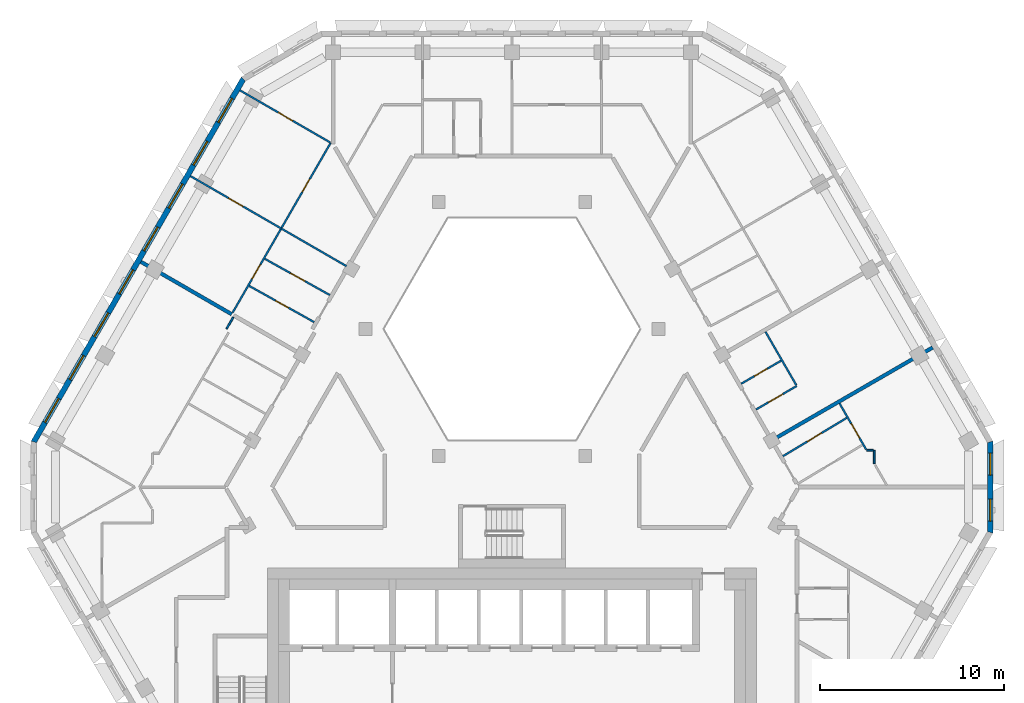
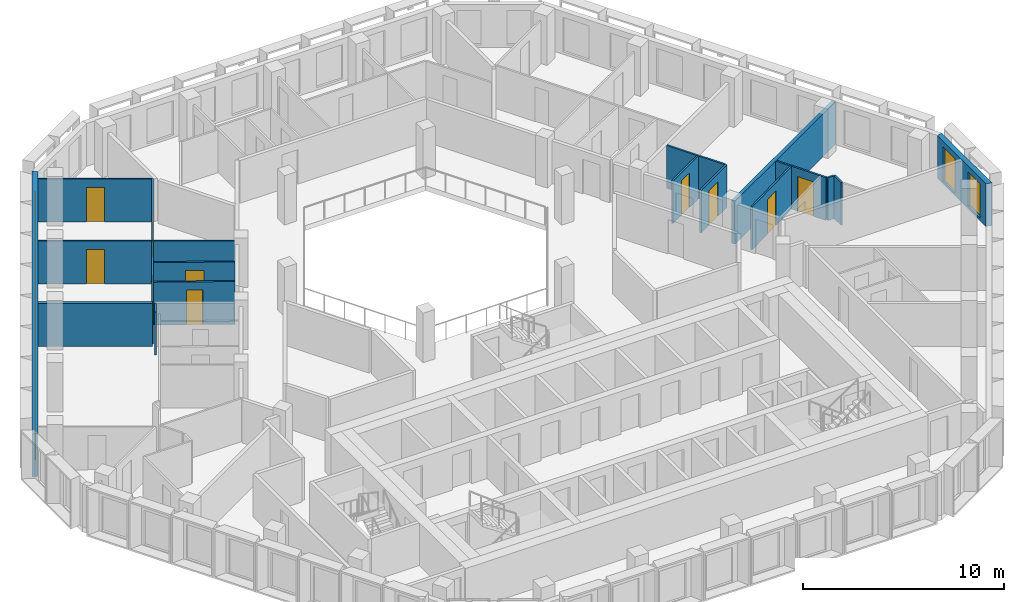
# One storey, part 7 of 18: 18 walls, 10 doors, 10 windows, 20 openings.
"""IFC4 building model written with IfcOpenShell, lengths in metres."""

from ifc_helpers import new_model, si_unit, direction, frame, frame_2d, origin, place, context, subcontext, project, spatial, polyline, rectangle, outline, extrude, material, layer, layer_set, type_object, element, fill, save


model = new_model("IFC4")

# Units and contexts
model_context = context("Model", 3, precision=1e-05, world=origin(), true_north=direction((0.0, 1.0)))
body_context = subcontext(model_context, "Body", "Model", "MODEL_VIEW")
ifc_project = project(units=[si_unit("LENGTHUNIT", "METRE"), si_unit("AREAUNIT", "SQUARE_METRE"), si_unit("VOLUMEUNIT", "CUBIC_METRE"), si_unit("PLANEANGLEUNIT", "RADIAN"), si_unit("MASSUNIT", "GRAM", prefix="KILO")], contexts=[model_context])

# Site, building, storey
site_placement = place(None, origin())
site = spatial("IfcSite", under=ifc_project, at=site_placement, CompositionType="ELEMENT")
building_placement = place(site_placement, origin())
building = spatial("IfcBuilding", under=site, at=building_placement, Name="Beryl Residences", CompositionType="ELEMENT")
storey_placement = place(building_placement, frame((0.0, 0.0, 196.199951171875)))
storey = spatial("IfcBuildingStorey", under=building, at=storey_placement, Name="L60", CompositionType="ELEMENT", Elevation=196.199951171875)

# Wall, openings, windows
ifc_material_1 = material(Name="Composite metal panel with mineral wool insulation")
ifc_layer_1 = layer(ifc_material_1, 0.300048828125)
ifc_layer_set_1 = layer_set([ifc_layer_1], Name="ES1 pale metal composite panel wall 300 mm")
wall_type_1 = type_object("IfcWallType", Name="ES1 pale metal composite panel wall 300 mm", PredefinedType="SOLIDWALL", material=ifc_layer_set_1)
wall_1_placement = place(storey_placement, frame((-14.592041015625, 21.625, 0.0), z_axis=(0.0, 0.0, 1.0), x_axis=(-0.500010537973, -0.866019319597, 0.0)))
wall_1 = element("IfcWall", 1, at=wall_1_placement, inside=storey, type_object=wall_type_1, Name="ES1 external wall L60 NW", PredefinedType="SOLIDWALL", context=body_context, shape_type="SweptSolid", body=[
    extrude(outline(polyline([(0.0, -0.14990234375), (22.86328125, -0.14990234375), (22.782958984375, 0.14990234375), (0.080322265625, 0.14990234375), (0.0, -0.14990234375)])), origin(), (0.0, 0.0, 1.0), 2.60009765625),
])
opening_1_placement = place(wall_1_placement, frame((1.259033203125, 0.0, 0.14990234375)))
opening_1 = element("IfcOpeningElement", 2, at=opening_1_placement, cuts=wall_1, Name="Opening W1", PredefinedType="OPENING", context=body_context, shape_type="SweptSolid", body=[
    extrude(rectangle(XDim=1.5, YDim=2.10009765625, at=frame_2d((0.75, 1.050048828125))), frame((0.0, 0.159912109375, 0.0), z_axis=(0.0, -1.0, 0.0), x_axis=(1.0, 0.0, 0.0)), (0.0, 0.0, 1.0), 0.320068359375),
])
opening_2_placement = place(wall_1_placement, frame((3.951904296875, 0.0, 0.14990234375)))
opening_2 = element("IfcOpeningElement", 3, at=opening_2_placement, cuts=wall_1, Name="Opening W1", PredefinedType="OPENING", context=body_context, shape_type="SweptSolid", body=[
    extrude(rectangle(XDim=1.5, YDim=2.10009765625, at=frame_2d((0.75, 1.050048828125))), frame((0.0, 0.159912109375, 0.0), z_axis=(0.0, -1.0, 0.0), x_axis=(1.0, 0.0, 0.0)), (0.0, 0.0, 1.0), 0.320068359375),
])
opening_3_placement = place(wall_1_placement, frame((6.64404296875, 0.0, 0.14990234375)))
opening_3 = element("IfcOpeningElement", 4, at=opening_3_placement, cuts=wall_1, Name="Opening W1", PredefinedType="OPENING", context=body_context, shape_type="SweptSolid", body=[
    extrude(rectangle(XDim=1.5, YDim=2.10009765625, at=frame_2d((0.75, 1.050048828125))), frame((0.0, 0.159912109375, 0.0), z_axis=(0.0, -1.0, 0.0), x_axis=(1.0, 0.0, 0.0)), (0.0, 0.0, 1.0), 0.320068359375),
])
opening_4_placement = place(wall_1_placement, frame((9.3349609375, 0.0, 0.14990234375)))
opening_4 = element("IfcOpeningElement", 5, at=opening_4_placement, cuts=wall_1, Name="Opening W1", PredefinedType="OPENING", context=body_context, shape_type="SweptSolid", body=[
    extrude(rectangle(XDim=1.5, YDim=2.10009765625, at=frame_2d((0.75, 1.050048828125))), frame((0.0, 0.159912109375, 0.0), z_axis=(0.0, -1.0, 0.0), x_axis=(1.0, 0.0, 0.0)), (0.0, 0.0, 1.0), 0.320068359375),
])
opening_5_placement = place(wall_1_placement, frame((12.028076171875, 0.0, 0.14990234375)))
opening_5 = element("IfcOpeningElement", 6, at=opening_5_placement, cuts=wall_1, Name="Opening W1", PredefinedType="OPENING", context=body_context, shape_type="SweptSolid", body=[
    extrude(rectangle(XDim=1.5, YDim=2.10009765625, at=frame_2d((0.75, 1.050048828125))), frame((0.0, 0.159912109375, 0.0), z_axis=(0.0, -1.0, 0.0), x_axis=(1.0, 0.0, 0.0)), (0.0, 0.0, 1.0), 0.320068359375),
])
opening_6_placement = place(wall_1_placement, frame((14.719970703125, 0.0, 0.14990234375)))
opening_6 = element("IfcOpeningElement", 7, at=opening_6_placement, cuts=wall_1, Name="Opening W1", PredefinedType="OPENING", context=body_context, shape_type="SweptSolid", body=[
    extrude(rectangle(XDim=1.5, YDim=2.10009765625, at=frame_2d((0.75, 1.050048828125))), frame((0.0, 0.159912109375, 0.0), z_axis=(0.0, -1.0, 0.0), x_axis=(1.0, 0.0, 0.0)), (0.0, 0.0, 1.0), 0.320068359375),
])
opening_7_placement = place(wall_1_placement, frame((17.410888671875, 0.0, 0.14990234375)))
opening_7 = element("IfcOpeningElement", 8, at=opening_7_placement, cuts=wall_1, Name="Opening W1", PredefinedType="OPENING", context=body_context, shape_type="SweptSolid", body=[
    extrude(rectangle(XDim=1.5, YDim=2.10009765625, at=frame_2d((0.75, 1.050048828125))), frame((0.0, 0.159912109375, 0.0), z_axis=(0.0, -1.0, 0.0), x_axis=(1.0, 0.0, 0.0)), (0.0, 0.0, 1.0), 0.320068359375),
])
opening_8_placement = place(wall_1_placement, frame((20.10400390625, 0.0, 0.14990234375)))
opening_8 = element("IfcOpeningElement", 9, at=opening_8_placement, cuts=wall_1, Name="Opening W1", PredefinedType="OPENING", context=body_context, shape_type="SweptSolid", body=[
    extrude(rectangle(XDim=1.5, YDim=2.10009765625, at=frame_2d((0.75, 1.050048828125))), frame((0.0, 0.159912109375, 0.0), z_axis=(0.0, -1.0, 0.0), x_axis=(1.0, 0.0, 0.0)), (0.0, 0.0, 1.0), 0.320068359375),
])
ifc_material_2 = material(Name="Aluminium and clear glass", Category="aluminium")
window_type_1 = type_object("IfcWindowType", Name="W1 cell window 1500 x 2100 mm", PartitioningType="SINGLE_PANEL", PredefinedType="WINDOW", material=ifc_material_2)
window_1_placement = place(opening_1_placement, origin())
window_1 = element("IfcWindow", 10, at=window_1_placement, inside=storey, type_object=window_type_1, Name="W1 window L60 NW 1", OverallHeight=2.10009765625, OverallWidth=1.5, PartitioningType="SINGLE_PANEL", PredefinedType="WINDOW", context=body_context, shape_type="SweptSolid", body=[
    extrude(rectangle(XDim=1.5, YDim=2.10009765625, at=frame_2d((0.75, 1.050048828125))), frame((0.0, 0.030029296875, 0.0), z_axis=(0.0, -1.0, 0.0), x_axis=(1.0, 0.0, 0.0)), (0.0, 0.0, 1.0), 0.06005859375),
])
fill(opening_1, window_1)
window_2_placement = place(opening_2_placement, origin())
window_2 = element("IfcWindow", 11, at=window_2_placement, inside=storey, type_object=window_type_1, Name="W1 window L60 NW 2", OverallHeight=2.10009765625, OverallWidth=1.5, PartitioningType="SINGLE_PANEL", PredefinedType="WINDOW", context=body_context, shape_type="SweptSolid", body=[
    extrude(rectangle(XDim=1.5, YDim=2.10009765625, at=frame_2d((0.75, 1.050048828125))), frame((0.0, 0.030029296875, 0.0), z_axis=(0.0, -1.0, 0.0), x_axis=(1.0, 0.0, 0.0)), (0.0, 0.0, 1.0), 0.06005859375),
])
fill(opening_2, window_2)
window_3_placement = place(opening_3_placement, origin())
window_3 = element("IfcWindow", 12, at=window_3_placement, inside=storey, type_object=window_type_1, Name="W1 window L60 NW 3", OverallHeight=2.10009765625, OverallWidth=1.5, PartitioningType="SINGLE_PANEL", PredefinedType="WINDOW", context=body_context, shape_type="SweptSolid", body=[
    extrude(rectangle(XDim=1.5, YDim=2.10009765625, at=frame_2d((0.75, 1.050048828125))), frame((0.0, 0.030029296875, 0.0), z_axis=(0.0, -1.0, 0.0), x_axis=(1.0, 0.0, 0.0)), (0.0, 0.0, 1.0), 0.06005859375),
])
fill(opening_3, window_3)
window_4_placement = place(opening_4_placement, origin())
window_4 = element("IfcWindow", 13, at=window_4_placement, inside=storey, type_object=window_type_1, Name="W1 window L60 NW 4", OverallHeight=2.10009765625, OverallWidth=1.5, PartitioningType="SINGLE_PANEL", PredefinedType="WINDOW", context=body_context, shape_type="SweptSolid", body=[
    extrude(rectangle(XDim=1.5, YDim=2.10009765625, at=frame_2d((0.75, 1.050048828125))), frame((0.0, 0.030029296875, 0.0), z_axis=(0.0, -1.0, 0.0), x_axis=(1.0, 0.0, 0.0)), (0.0, 0.0, 1.0), 0.06005859375),
])
fill(opening_4, window_4)
window_5_placement = place(opening_5_placement, origin())
window_5 = element("IfcWindow", 14, at=window_5_placement, inside=storey, type_object=window_type_1, Name="W1 window L60 NW 5", OverallHeight=2.10009765625, OverallWidth=1.5, PartitioningType="SINGLE_PANEL", PredefinedType="WINDOW", context=body_context, shape_type="SweptSolid", body=[
    extrude(rectangle(XDim=1.5, YDim=2.10009765625, at=frame_2d((0.75, 1.050048828125))), frame((0.0, 0.030029296875, 0.0), z_axis=(0.0, -1.0, 0.0), x_axis=(1.0, 0.0, 0.0)), (0.0, 0.0, 1.0), 0.06005859375),
])
fill(opening_5, window_5)
window_6_placement = place(opening_6_placement, origin())
window_6 = element("IfcWindow", 15, at=window_6_placement, inside=storey, type_object=window_type_1, Name="W1 window L60 NW 6", OverallHeight=2.10009765625, OverallWidth=1.5, PartitioningType="SINGLE_PANEL", PredefinedType="WINDOW", context=body_context, shape_type="SweptSolid", body=[
    extrude(rectangle(XDim=1.5, YDim=2.10009765625, at=frame_2d((0.75, 1.050048828125))), frame((0.0, 0.030029296875, 0.0), z_axis=(0.0, -1.0, 0.0), x_axis=(1.0, 0.0, 0.0)), (0.0, 0.0, 1.0), 0.06005859375),
])
fill(opening_6, window_6)
window_7_placement = place(opening_7_placement, origin())
window_7 = element("IfcWindow", 16, at=window_7_placement, inside=storey, type_object=window_type_1, Name="W1 window L60 NW 7", OverallHeight=2.10009765625, OverallWidth=1.5, PartitioningType="SINGLE_PANEL", PredefinedType="WINDOW", context=body_context, shape_type="SweptSolid", body=[
    extrude(rectangle(XDim=1.5, YDim=2.10009765625, at=frame_2d((0.75, 1.050048828125))), frame((0.0, 0.030029296875, 0.0), z_axis=(0.0, -1.0, 0.0), x_axis=(1.0, 0.0, 0.0)), (0.0, 0.0, 1.0), 0.06005859375),
])
fill(opening_7, window_7)
window_8_placement = place(opening_8_placement, origin())
window_8 = element("IfcWindow", 17, at=window_8_placement, inside=storey, type_object=window_type_1, Name="W1 window L60 NW 8", OverallHeight=2.10009765625, OverallWidth=1.5, PartitioningType="SINGLE_PANEL", PredefinedType="WINDOW", context=body_context, shape_type="SweptSolid", body=[
    extrude(rectangle(XDim=1.5, YDim=2.10009765625, at=frame_2d((0.75, 1.050048828125))), frame((0.0, 0.030029296875, 0.0), z_axis=(0.0, -1.0, 0.0), x_axis=(1.0, 0.0, 0.0)), (0.0, 0.0, 1.0), 0.06005859375),
])
fill(opening_8, window_8)

wall_2_placement = place(storey_placement, frame((26.00390625, -3.10009765625, 0.0), z_axis=(0.0, 0.0, 1.0), x_axis=(0.0, 1.0, 0.0)))
wall_2 = element("IfcWall", 18, at=wall_2_placement, inside=storey, type_object=wall_type_1, Name="ES1 external wall L60 SE-NE", PredefinedType="SOLIDWALL", context=body_context, shape_type="SweptSolid", body=[
    extrude(outline(polyline([(0.0, -0.14990234375), (5.0, -0.14990234375), (4.919677734375, 0.14990234375), (0.080322265625, 0.14990234375), (0.0, -0.14990234375)])), origin(), (0.0, 0.0, 1.0), 2.60009765625),
])
opening_9_placement = place(wall_2_placement, frame((0.64990234375, 0.0, 0.14990234375)))
opening_9 = element("IfcOpeningElement", 19, at=opening_9_placement, cuts=wall_2, Name="Opening W2", PredefinedType="OPENING", context=body_context, shape_type="SweptSolid", body=[
    extrude(rectangle(XDim=1.199951171875, YDim=2.10009765625, at=frame_2d((0.60009765625, 1.050048828125))), frame((0.0, 0.159912109375, 0.0), z_axis=(0.0, -1.0, 0.0), x_axis=(1.0, 0.0, 0.0)), (0.0, 0.0, 1.0), 0.320068359375),
])
opening_10_placement = place(wall_2_placement, frame((3.14990234375, 0.0, 0.14990234375)))
opening_10 = element("IfcOpeningElement", 20, at=opening_10_placement, cuts=wall_2, Name="Opening W2", PredefinedType="OPENING", context=body_context, shape_type="SweptSolid", body=[
    extrude(rectangle(XDim=1.199951171875, YDim=2.10009765625, at=frame_2d((0.60009765625, 1.050048828125))), frame((0.0, 0.159912109375, 0.0), z_axis=(0.0, -1.0, 0.0), x_axis=(1.0, 0.0, 0.0)), (0.0, 0.0, 1.0), 0.320068359375),
])
ifc_material_3 = material(Name="Aluminium and clear glass", Category="aluminium")
window_type_2 = type_object("IfcWindowType", Name="W2 chamfer window 1200 x 2100 mm", PartitioningType="SINGLE_PANEL", PredefinedType="WINDOW", material=ifc_material_3)
window_9_placement = place(opening_9_placement, origin())
window_9 = element("IfcWindow", 21, at=window_9_placement, inside=storey, type_object=window_type_2, Name="W2 window L60 SE-NE 1", OverallHeight=2.10009765625, OverallWidth=1.199951171875, PartitioningType="SINGLE_PANEL", PredefinedType="WINDOW", context=body_context, shape_type="SweptSolid", body=[
    extrude(rectangle(XDim=1.199951171875, YDim=2.10009765625, at=frame_2d((0.60009765625, 1.050048828125))), frame((0.0, 0.030029296875, 0.0), z_axis=(0.0, -1.0, 0.0), x_axis=(1.0, 0.0, 0.0)), (0.0, 0.0, 1.0), 0.06005859375),
])
fill(opening_9, window_9)
window_10_placement = place(opening_10_placement, origin())
window_10 = element("IfcWindow", 22, at=window_10_placement, inside=storey, type_object=window_type_2, Name="W2 window L60 SE-NE 2", OverallHeight=2.10009765625, OverallWidth=1.199951171875, PartitioningType="SINGLE_PANEL", PredefinedType="WINDOW", context=body_context, shape_type="SweptSolid", body=[
    extrude(rectangle(XDim=1.199951171875, YDim=2.10009765625, at=frame_2d((0.60009765625, 1.050048828125))), frame((0.0, 0.030029296875, 0.0), z_axis=(0.0, -1.0, 0.0), x_axis=(1.0, 0.0, 0.0)), (0.0, 0.0, 1.0), 0.06005859375),
])
fill(opening_10, window_10)

# Wall
ifc_material_4 = material(Name="Gypsum board partition on steel studs", Category="steel")
ifc_layer_2 = layer(ifc_material_4, 0.10009765625)
ifc_layer_set_2 = layer_set([ifc_layer_2], Name="PT1 partition 100 mm gypsum board on steel studs")
wall_type_2 = type_object("IfcWallType", Name="PT1 partition 100 mm gypsum board on steel studs", PredefinedType="PARTITIONING", material=ifc_layer_set_2)
wall_3_placement = place(storey_placement, frame((13.784912109375, 7.843994140625, 0.0), z_axis=(0.0, 0.0, 1.0), x_axis=(0.500176784828, -0.865923312955, 0.0)))
element("IfcWall", 23, at=wall_3_placement, inside=storey, type_object=wall_type_2, Name="Wall PT1 L60 002", PredefinedType="PARTITIONING", context=body_context, shape_type="SweptSolid", body=[
    extrude(rectangle(XDim=3.348876953125, YDim=0.10009765625, at=frame_2d((1.67431640625, 0.0))), origin(), (0.0, 0.0, 1.0), 2.60009765625),
])

# Wall, opening, door
wall_4_placement = place(storey_placement, frame((17.81103515625, 3.950927734375, 0.0), z_axis=(0.0, 0.0, 1.0), x_axis=(0.499976149225, -0.866039173598, 0.0)))
wall_4 = element("IfcWall", 24, at=wall_4_placement, inside=storey, type_object=wall_type_2, Name="Wall PT1 L60 004", PredefinedType="PARTITIONING", context=body_context, shape_type="SweptSolid", body=[
    extrude(rectangle(XDim=2.887939453125, YDim=0.10009765625, at=frame_2d((1.44384765625, 0.0))), origin(), (0.0, 0.0, 1.0), 2.60009765625),
])
opening_11_placement = place(wall_4_placement, frame((1.27587890625, 0.0, 0.0)))
opening_11 = element("IfcOpeningElement", 25, at=opening_11_placement, cuts=wall_4, Name="Opening D1542", PredefinedType="OPENING", context=body_context, shape_type="SweptSolid", body=[
    extrude(rectangle(XDim=0.89990234375, YDim=2.10009765625, at=frame_2d((0.449951171875, 1.050048828125))), frame((0.0, 0.06005859375, 0.0), z_axis=(0.0, -1.0, 0.0), x_axis=(1.0, 0.0, 0.0)), (0.0, 0.0, 1.0), 0.1201171875),
])
ifc_material_5 = material(Name="Timber door leaf", Category="wood")
door_type_1 = type_object("IfcDoorType", Name="D2 room door 900 x 2100 mm", OperationType="SINGLE_SWING_LEFT", PredefinedType="DOOR", material=ifc_material_5)
door_1_placement = place(opening_11_placement, origin())
door_1 = element("IfcDoor", 26, at=door_1_placement, inside=storey, type_object=door_type_1, Name="Door D1542 L60 001", OperationType="SINGLE_SWING_RIGHT", OverallHeight=2.10009765625, OverallWidth=0.89990234375, PredefinedType="DOOR", context=body_context, shape_type="SweptSolid", body=[
    extrude(rectangle(XDim=0.89990234375, YDim=2.10009765625, at=frame_2d((0.449951171875, 1.050048828125))), frame((0.0, 0.02490234375, 0.0), z_axis=(0.0, -1.0, 0.0), x_axis=(1.0, 0.0, 0.0)), (0.0, 0.0, 1.0), 0.050048828125),
])
fill(opening_11, door_1)

wall_5_placement = place(storey_placement, frame((-13.444091796875, 11.81396484375, 0.0), z_axis=(0.0, 0.0, 1.0), x_axis=(0.873653620945, -0.486548405207, 0.0)))
wall_5 = element("IfcWall", 27, at=wall_5_placement, inside=storey, type_object=wall_type_2, Name="Wall PT1 L60 009", PredefinedType="PARTITIONING", context=body_context, shape_type="SweptSolid", body=[
    extrude(rectangle(XDim=4.05078125, YDim=0.10009765625, at=frame_2d((2.025390625, 0.0))), origin(), (0.0, 0.0, 1.0), 2.60009765625),
])
opening_12_placement = place(wall_5_placement, frame((1.60009765625, 0.0, 0.0)))
opening_12 = element("IfcOpeningElement", 28, at=opening_12_placement, cuts=wall_5, Name="Opening D1519", PredefinedType="OPENING", context=body_context, shape_type="SweptSolid", body=[
    extrude(rectangle(XDim=0.89990234375, YDim=2.10009765625, at=frame_2d((0.449951171875, 1.050048828125))), frame((0.0, 0.06005859375, 0.0), z_axis=(0.0, -1.0, 0.0), x_axis=(1.0, 0.0, 0.0)), (0.0, 0.0, 1.0), 0.1201171875),
])
door_2_placement = place(opening_12_placement, origin())
door_2 = element("IfcDoor", 29, at=door_2_placement, inside=storey, type_object=door_type_1, Name="Door D1519 L60 001", OperationType="SINGLE_SWING_LEFT", OverallHeight=2.10009765625, OverallWidth=0.89990234375, PredefinedType="DOOR", context=body_context, shape_type="SweptSolid", body=[
    extrude(rectangle(XDim=0.89990234375, YDim=2.10009765625, at=frame_2d((0.449951171875, 1.050048828125))), frame((0.0, 0.02490234375, 0.0), z_axis=(0.0, -1.0, 0.0), x_axis=(1.0, 0.0, 0.0)), (0.0, 0.0, 1.0), 0.050048828125),
])
fill(opening_12, door_2)

wall_6_placement = place(storey_placement, frame((-14.2939453125, 10.342041015625, 0.0), z_axis=(0.0, 0.0, 1.0), x_axis=(0.873582256032, -0.486676527013, 0.0)))
wall_6 = element("IfcWall", 30, at=wall_6_placement, inside=storey, type_object=wall_type_2, Name="Wall PT1 L60 010", PredefinedType="PARTITIONING", context=body_context, shape_type="SweptSolid", body=[
    extrude(rectangle(XDim=4.0498046875, YDim=0.10009765625, at=frame_2d((2.02490234375, 0.0))), origin(), (0.0, 0.0, 1.0), 2.60009765625),
])
opening_13_placement = place(wall_6_placement, frame((1.64990234375, 0.0, 0.0)))
opening_13 = element("IfcOpeningElement", 31, at=opening_13_placement, cuts=wall_6, Name="Opening D1518", PredefinedType="OPENING", context=body_context, shape_type="SweptSolid", body=[
    extrude(rectangle(XDim=0.800048828125, YDim=2.10009765625, at=frame_2d((0.39990234375, 1.050048828125))), frame((0.0, 0.06005859375, 0.0), z_axis=(0.0, -1.0, 0.0), x_axis=(1.0, 0.0, 0.0)), (0.0, 0.0, 1.0), 0.1201171875),
])
ifc_material_6 = material(Name="Timber door leaf", Category="wood")
door_type_2 = type_object("IfcDoorType", Name="D3 bathroom door 800 x 2100 mm", OperationType="SINGLE_SWING_LEFT", PredefinedType="DOOR", material=ifc_material_6)
door_3_placement = place(opening_13_placement, origin())
door_3 = element("IfcDoor", 32, at=door_3_placement, inside=storey, type_object=door_type_2, Name="Door D1518 L60 001", OperationType="SINGLE_SWING_RIGHT", OverallHeight=2.10009765625, OverallWidth=0.800048828125, PredefinedType="DOOR", context=body_context, shape_type="SweptSolid", body=[
    extrude(rectangle(XDim=0.800048828125, YDim=2.10009765625, at=frame_2d((0.39990234375, 1.050048828125))), frame((0.0, 0.02490234375, 0.0), z_axis=(0.0, -1.0, 0.0), x_axis=(1.0, 0.0, 0.0)), (0.0, 0.0, 1.0), 0.050048828125),
])
fill(opening_13, door_3)

wall_7_placement = place(storey_placement, frame((-17.486083984375, 16.31298828125, 0.0), z_axis=(0.0, 0.0, 1.0), x_axis=(0.866004402611, -0.500036373335, 0.0)))
wall_7 = element("IfcWall", 33, at=wall_7_placement, inside=storey, type_object=wall_type_2, Name="Wall PT1 L60 015", PredefinedType="PARTITIONING", context=body_context, shape_type="SweptSolid", body=[
    extrude(rectangle(XDim=5.69970703125, YDim=0.10009765625, at=frame_2d((2.849853515625, 0.0))), origin(), (0.0, 0.0, 1.0), 2.60009765625),
])
opening_14_placement = place(wall_7_placement, frame((2.39990234375, 0.0, 0.0)))
opening_14 = element("IfcOpeningElement", 34, at=opening_14_placement, cuts=wall_7, Name="Opening D1521", PredefinedType="OPENING", context=body_context, shape_type="SweptSolid", body=[
    extrude(rectangle(XDim=0.89990234375, YDim=2.10009765625, at=frame_2d((0.449951171875, 1.050048828125))), frame((0.0, 0.06005859375, 0.0), z_axis=(0.0, -1.0, 0.0), x_axis=(1.0, 0.0, 0.0)), (0.0, 0.0, 1.0), 0.1201171875),
])
door_4_placement = place(opening_14_placement, origin())
door_4 = element("IfcDoor", 35, at=door_4_placement, inside=storey, type_object=door_type_1, Name="Door D1521 L60 001", OperationType="SINGLE_SWING_LEFT", OverallHeight=2.10009765625, OverallWidth=0.89990234375, PredefinedType="DOOR", context=body_context, shape_type="SweptSolid", body=[
    extrude(rectangle(XDim=0.89990234375, YDim=2.10009765625, at=frame_2d((0.449951171875, 1.050048828125))), frame((0.0, 0.02490234375, 0.0), z_axis=(0.0, -1.0, 0.0), x_axis=(1.0, 0.0, 0.0)), (0.0, 0.0, 1.0), 0.050048828125),
])
fill(opening_14, door_4)

wall_8_placement = place(storey_placement, frame((-14.7939453125, 20.97509765625, 0.0), z_axis=(0.0, 0.0, 1.0), x_axis=(0.865989811779, -0.500061642096, 0.0)))
wall_8 = element("IfcWall", 36, at=wall_8_placement, inside=storey, type_object=wall_type_2, Name="Wall PT1 L60 016", PredefinedType="PARTITIONING", context=body_context, shape_type="SweptSolid", body=[
    extrude(rectangle(XDim=5.669677734375, YDim=0.10009765625, at=frame_2d((2.8349609375, 0.0))), origin(), (0.0, 0.0, 1.0), 2.60009765625),
])
opening_15_placement = place(wall_8_placement, frame((2.409912109375, 0.0, 0.0)))
opening_15 = element("IfcOpeningElement", 37, at=opening_15_placement, cuts=wall_8, Name="Opening D1522", PredefinedType="OPENING", context=body_context, shape_type="SweptSolid", body=[
    extrude(rectangle(XDim=0.89990234375, YDim=2.10009765625, at=frame_2d((0.449951171875, 1.050048828125))), frame((0.0, 0.06005859375, 0.0), z_axis=(0.0, -1.0, 0.0), x_axis=(1.0, 0.0, 0.0)), (0.0, 0.0, 1.0), 0.1201171875),
])
door_5_placement = place(opening_15_placement, origin())
door_5 = element("IfcDoor", 38, at=door_5_placement, inside=storey, type_object=door_type_1, Name="Door D1522 L60 001", OperationType="SINGLE_SWING_RIGHT", OverallHeight=2.10009765625, OverallWidth=0.89990234375, PredefinedType="DOOR", context=body_context, shape_type="SweptSolid", body=[
    extrude(rectangle(XDim=0.89990234375, YDim=2.10009765625, at=frame_2d((0.449951171875, 1.050048828125))), frame((0.0, 0.02490234375, 0.0), z_axis=(0.0, -1.0, 0.0), x_axis=(1.0, 0.0, 0.0)), (0.0, 0.0, 1.0), 0.050048828125),
])
fill(opening_15, door_5)

# Walls
wall_9_placement = place(storey_placement, frame((19.283935546875, 1.39990234375, 0.0), z_axis=(0.0, 0.0, 1.0), x_axis=(1.0, 0.0, 0.0)))
element("IfcWall", 39, at=wall_9_placement, inside=storey, type_object=wall_type_2, Name="Wall PT1 L60 022", PredefinedType="PARTITIONING", context=body_context, shape_type="SweptSolid", body=[
    extrude(rectangle(XDim=0.365966796875, YDim=0.10009765625, at=frame_2d((0.18310546875, 0.0))), origin(), (0.0, 0.0, 1.0), 2.60009765625),
])
wall_10_placement = place(storey_placement, frame((-15.528076171875, 8.0, 0.0), z_axis=(0.0, 0.0, 1.0), x_axis=(0.500421336976, 0.865782008071, 0.0)))
element("IfcWall", 40, at=wall_10_placement, inside=storey, type_object=wall_type_2, Name="Wall PT1 L60 029", PredefinedType="PARTITIONING", context=body_context, shape_type="SweptSolid", body=[
    extrude(rectangle(XDim=0.735595703125, YDim=0.10009765625, at=frame_2d((0.36767578125, 0.0))), origin(), (0.0, 0.0, 1.0), 2.60009765625),
])

# Wall, openings, doors
wall_11_placement = place(storey_placement, frame((-15.19189453125, 8.886962890625, 0.0), z_axis=(0.0, 0.0, 1.0), x_axis=(0.500028204665, 0.866009119201, 0.0)))
wall_11 = element("IfcWall", 41, at=wall_11_placement, inside=storey, type_object=wall_type_2, Name="Wall PT1 L60 030", PredefinedType="PARTITIONING", context=body_context, shape_type="SweptSolid", body=[
    extrude(rectangle(XDim=10.66748046875, YDim=0.10009765625, at=frame_2d((5.333740234375, 0.0))), origin(), (0.0, 0.0, 1.0), 2.60009765625),
])
opening_16_placement = place(wall_11_placement, frame((2.10791015625, 0.0, 0.0)))
opening_16 = element("IfcOpeningElement", 42, at=opening_16_placement, cuts=wall_11, Name="Opening D1520", PredefinedType="OPENING", context=body_context, shape_type="SweptSolid", body=[
    extrude(rectangle(XDim=0.89990234375, YDim=2.10009765625, at=frame_2d((0.449951171875, 1.050048828125))), frame((0.0, 0.06005859375, 0.0), z_axis=(0.0, -1.0, 0.0), x_axis=(1.0, 0.0, 0.0)), (0.0, 0.0, 1.0), 0.1201171875),
])
opening_17_placement = place(wall_11_placement, frame((7.575927734375, 0.0, 0.0)))
opening_17 = element("IfcOpeningElement", 43, at=opening_17_placement, cuts=wall_11, Name="Opening D1523", PredefinedType="OPENING", context=body_context, shape_type="SweptSolid", body=[
    extrude(rectangle(XDim=0.800048828125, YDim=2.10009765625, at=frame_2d((0.39990234375, 1.050048828125))), frame((0.0, 0.06005859375, 0.0), z_axis=(0.0, -1.0, 0.0), x_axis=(1.0, 0.0, 0.0)), (0.0, 0.0, 1.0), 0.1201171875),
])
door_6_placement = place(opening_16_placement, origin())
door_6 = element("IfcDoor", 44, at=door_6_placement, inside=storey, type_object=door_type_1, Name="Door D1520 L60 001", OperationType="SINGLE_SWING_RIGHT", OverallHeight=2.10009765625, OverallWidth=0.89990234375, PredefinedType="DOOR", context=body_context, shape_type="SweptSolid", body=[
    extrude(rectangle(XDim=0.89990234375, YDim=2.10009765625, at=frame_2d((0.449951171875, 1.050048828125))), frame((0.0, 0.02490234375, 0.0), z_axis=(0.0, -1.0, 0.0), x_axis=(1.0, 0.0, 0.0)), (0.0, 0.0, 1.0), 0.050048828125),
])
fill(opening_16, door_6)
door_7_placement = place(opening_17_placement, origin())
door_7 = element("IfcDoor", 45, at=door_7_placement, inside=storey, type_object=door_type_2, Name="Door D1523 L60 001", OperationType="SINGLE_SWING_LEFT", OverallHeight=2.10009765625, OverallWidth=0.800048828125, PredefinedType="DOOR", context=body_context, shape_type="SweptSolid", body=[
    extrude(rectangle(XDim=0.800048828125, YDim=2.10009765625, at=frame_2d((0.39990234375, 1.050048828125))), frame((0.0, 0.02490234375, 0.0), z_axis=(0.0, -1.0, 0.0), x_axis=(1.0, 0.0, 0.0)), (0.0, 0.0, 1.0), 0.050048828125),
])
fill(opening_17, door_7)

# Wall
wall_12_placement = place(storey_placement, frame((19.699951171875, 0.678955078125, 0.0), z_axis=(0.0, 0.0, 1.0), x_axis=(0.0, 1.0, 0.0)))
element("IfcWall", 46, at=wall_12_placement, inside=storey, type_object=wall_type_2, Name="Wall PT1 L60 033", PredefinedType="PARTITIONING", context=body_context, shape_type="SweptSolid", body=[
    extrude(rectangle(XDim=0.720947265625, YDim=0.10009765625, at=frame_2d((0.3603515625, 0.0))), origin(), (0.0, 0.0, 1.0), 2.60009765625),
])

# Wall, opening, door
wall_13_placement = place(storey_placement, frame((13.26806640625, 3.618896484375, 0.0), z_axis=(0.0, 0.0, 1.0), x_axis=(0.865902724456, 0.500212426655, 0.0)))
wall_13 = element("IfcWall", 47, at=wall_13_placement, inside=storey, type_object=wall_type_2, Name="Wall PT1 L60 042", PredefinedType="PARTITIONING", context=body_context, shape_type="SweptSolid", body=[
    extrude(rectangle(XDim=2.55908203125, YDim=0.10009765625, at=frame_2d((1.279541015625, 0.0))), origin(), (0.0, 0.0, 1.0), 2.60009765625),
])
opening_18_placement = place(wall_13_placement, frame((0.780029296875, 0.0, 0.0)))
opening_18 = element("IfcOpeningElement", 48, at=opening_18_placement, cuts=wall_13, Name="Opening D1544", PredefinedType="OPENING", context=body_context, shape_type="SweptSolid", body=[
    extrude(rectangle(XDim=0.89990234375, YDim=2.10009765625, at=frame_2d((0.449951171875, 1.050048828125))), frame((0.0, 0.06005859375, 0.0), z_axis=(0.0, -1.0, 0.0), x_axis=(1.0, 0.0, 0.0)), (0.0, 0.0, 1.0), 0.1201171875),
])
door_8_placement = place(opening_18_placement, origin())
door_8 = element("IfcDoor", 49, at=door_8_placement, inside=storey, type_object=door_type_1, Name="Door D1544 L60 001", OperationType="SINGLE_SWING_RIGHT", OverallHeight=2.10009765625, OverallWidth=0.89990234375, PredefinedType="DOOR", context=body_context, shape_type="SweptSolid", body=[
    extrude(rectangle(XDim=0.89990234375, YDim=2.10009765625, at=frame_2d((0.449951171875, 1.050048828125))), frame((0.0, 0.02490234375, 0.0), z_axis=(0.0, -1.0, 0.0), x_axis=(1.0, 0.0, 0.0)), (0.0, 0.0, 1.0), 0.050048828125),
])
fill(opening_18, door_8)

wall_14_placement = place(storey_placement, frame((12.4599609375, 5.01806640625, 0.0), z_axis=(0.0, 0.0, 1.0), x_axis=(0.866080321209, 0.499904868165, 0.0)))
wall_14 = element("IfcWall", 50, at=wall_14_placement, inside=storey, type_object=wall_type_2, Name="Wall PT1 L60 043", PredefinedType="PARTITIONING", context=body_context, shape_type="SweptSolid", body=[
    extrude(rectangle(XDim=2.51025390625, YDim=0.10009765625, at=frame_2d((1.255126953125, 0.0))), origin(), (0.0, 0.0, 1.0), 2.60009765625),
])
opening_19_placement = place(wall_14_placement, frame((0.830078125, 0.0, 0.0)))
opening_19 = element("IfcOpeningElement", 51, at=opening_19_placement, cuts=wall_14, Name="Opening D1545", PredefinedType="OPENING", context=body_context, shape_type="SweptSolid", body=[
    extrude(rectangle(XDim=0.800048828125, YDim=2.10009765625, at=frame_2d((0.39990234375, 1.050048828125))), frame((0.0, 0.06005859375, 0.0), z_axis=(0.0, -1.0, 0.0), x_axis=(1.0, 0.0, 0.0)), (0.0, 0.0, 1.0), 0.1201171875),
])
door_9_placement = place(opening_19_placement, origin())
door_9 = element("IfcDoor", 52, at=door_9_placement, inside=storey, type_object=door_type_2, Name="Door D1545 L60 001", OperationType="SINGLE_SWING_LEFT", OverallHeight=2.10009765625, OverallWidth=0.800048828125, PredefinedType="DOOR", context=body_context, shape_type="SweptSolid", body=[
    extrude(rectangle(XDim=0.800048828125, YDim=2.10009765625, at=frame_2d((0.39990234375, 1.050048828125))), frame((0.0, 0.02490234375, 0.0), z_axis=(0.0, -1.0, 0.0), x_axis=(1.0, 0.0, 0.0)), (0.0, 0.0, 1.0), 0.050048828125),
])
fill(opening_19, door_9)

wall_15_placement = place(storey_placement, frame((14.73388671875, 1.080078125, 0.0), z_axis=(0.0, 0.0, 1.0), x_axis=(0.857205608004, 0.514974315482, 0.0)))
wall_15 = element("IfcWall", 53, at=wall_15_placement, inside=storey, type_object=wall_type_2, Name="Wall PT1 L60 047", PredefinedType="PARTITIONING", context=body_context, shape_type="SweptSolid", body=[
    extrude(rectangle(XDim=4.050537109375, YDim=0.10009765625, at=frame_2d((2.025390625, 0.0))), origin(), (0.0, 0.0, 1.0), 2.60009765625),
])
opening_20_placement = place(wall_15_placement, frame((1.550048828125, 0.0, 0.0)))
opening_20 = element("IfcOpeningElement", 54, at=opening_20_placement, cuts=wall_15, Name="Opening D1540", PredefinedType="OPENING", context=body_context, shape_type="SweptSolid", body=[
    extrude(rectangle(XDim=0.89990234375, YDim=2.10009765625, at=frame_2d((0.449951171875, 1.050048828125))), frame((0.0, 0.06005859375, 0.0), z_axis=(0.0, -1.0, 0.0), x_axis=(1.0, 0.0, 0.0)), (0.0, 0.0, 1.0), 0.1201171875),
])
door_10_placement = place(opening_20_placement, origin())
door_10 = element("IfcDoor", 55, at=door_10_placement, inside=storey, type_object=door_type_1, Name="Door D1540 L60 001", OperationType="SINGLE_SWING_RIGHT", OverallHeight=2.10009765625, OverallWidth=0.89990234375, PredefinedType="DOOR", context=body_context, shape_type="SweptSolid", body=[
    extrude(rectangle(XDim=0.89990234375, YDim=2.10009765625, at=frame_2d((0.449951171875, 1.050048828125))), frame((0.0, 0.02490234375, 0.0), z_axis=(0.0, -1.0, 0.0), x_axis=(1.0, 0.0, 0.0)), (0.0, 0.0, 1.0), 0.050048828125),
])
fill(opening_20, door_10)

# Walls
wall_16_placement = place(storey_placement, frame((-12.550048828125, 13.462890625, 0.0), z_axis=(0.0, 0.0, 1.0), x_axis=(0.86606561423, -0.499930346997, 0.0)))
element("IfcWall", 56, at=wall_16_placement, inside=storey, type_object=wall_type_2, Name="Wall PT1 L60 050", PredefinedType="PARTITIONING", context=body_context, shape_type="SweptSolid", body=[
    extrude(rectangle(XDim=4.10009765625, YDim=0.10009765625, at=frame_2d((2.050048828125, 0.0))), origin(), (0.0, 0.0, 1.0), 2.60009765625),
])
ifc_material_7 = material(Name="Acoustic double stud gypsum board wall")
ifc_layer_3 = layer(ifc_material_7, 0.199951171875)
ifc_layer_set_3 = layer_set([ifc_layer_3], Name="PT3 party wall 200 mm acoustic double stud")
wall_type_3 = type_object("IfcWallType", Name="PT3 party wall 200 mm acoustic double stud", PredefinedType="PARTITIONING", material=ifc_layer_set_3)
wall_17_placement = place(storey_placement, frame((-20.177978515625, 11.64990234375, 0.0), z_axis=(0.0, 0.0, 1.0), x_axis=(0.866022950691, -0.500004248858, 0.0)))
element("IfcWall", 57, at=wall_17_placement, inside=storey, type_object=wall_type_3, Name="Wall PT3 L60 003", PredefinedType="PARTITIONING", context=body_context, shape_type="SweptSolid", body=[
    extrude(rectangle(XDim=5.69970703125, YDim=0.199951171875, at=frame_2d((2.849853515625, 0.0))), origin(), (0.0, 0.0, 1.0), 2.60009765625),
])
wall_18_placement = place(storey_placement, frame((14.2099609375, 1.987060546875, 0.0), z_axis=(0.0, 0.0, 1.0), x_axis=(0.866022959057, 0.500004234368, 0.0)))
element("IfcWall", 58, at=wall_18_placement, inside=storey, type_object=wall_type_3, Name="Wall PT3 L60 011", PredefinedType="PARTITIONING", context=body_context, shape_type="SweptSolid", body=[
    extrude(rectangle(XDim=10.0, YDim=0.199951171875, at=frame_2d((5.0, 0.0))), origin(), (0.0, 0.0, 1.0), 2.60009765625),
])

save(model, "model.ifc")
